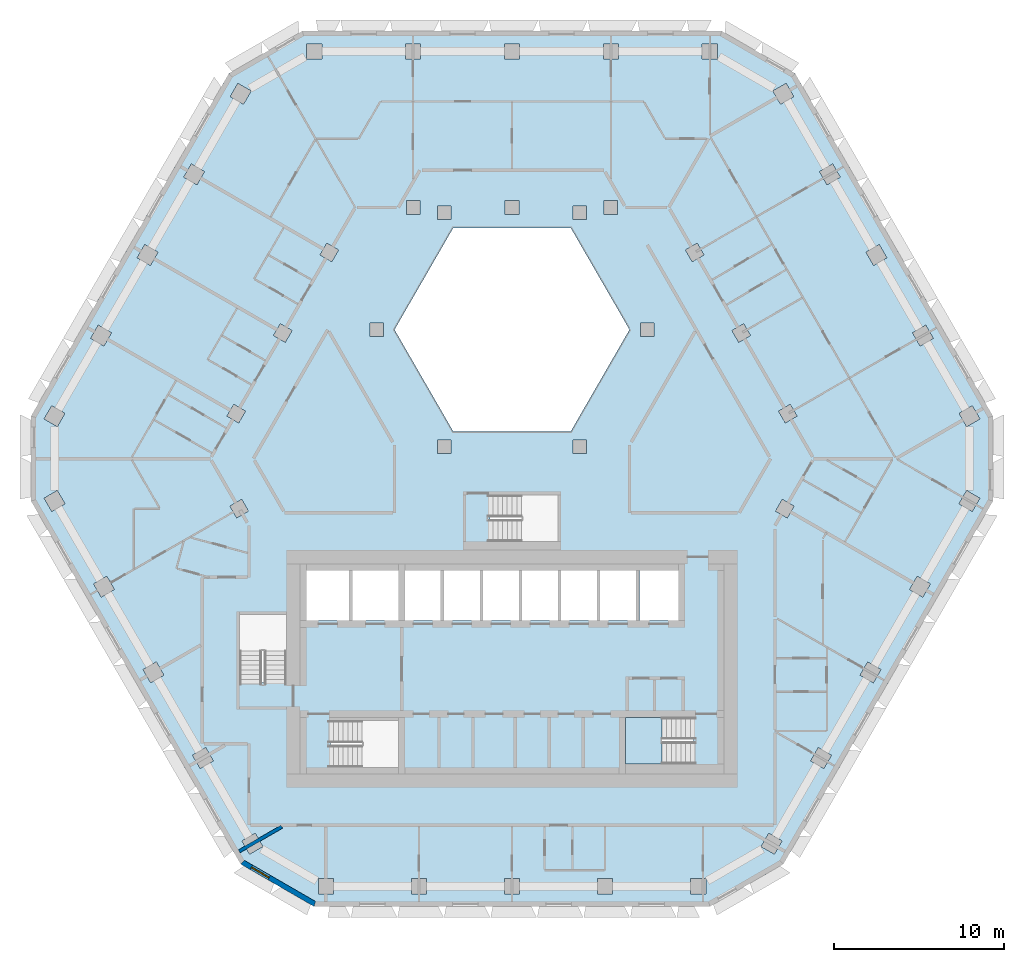
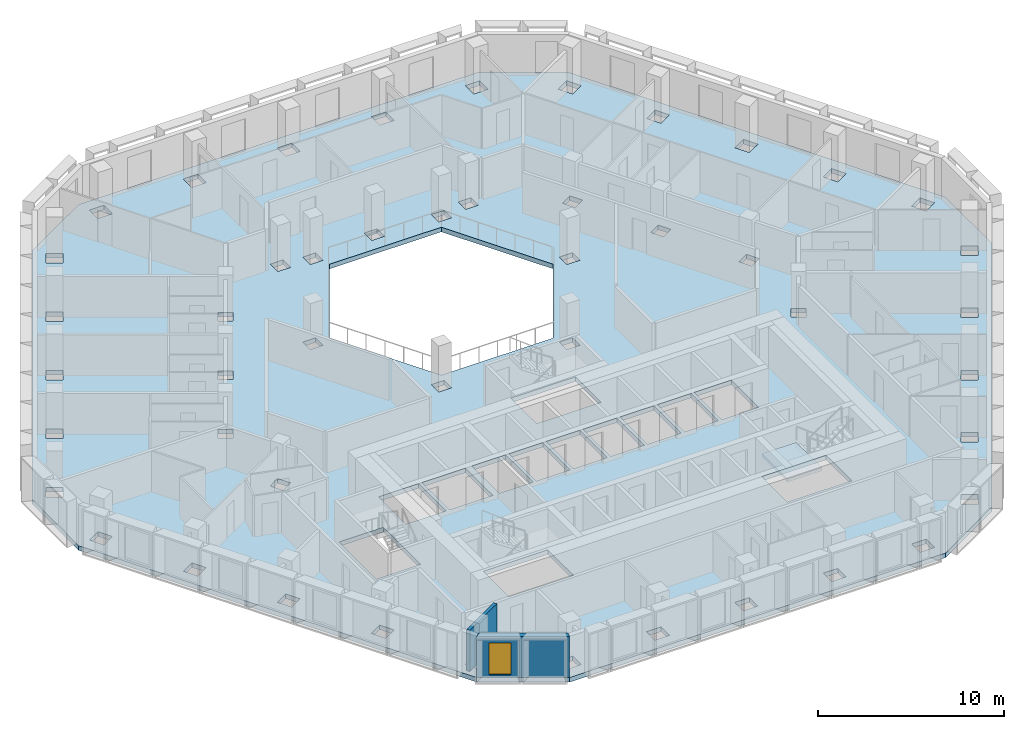
# One storey, part 2 of 15: 2 slabs, 2 walls, 1 window, 1 opening, 1 element without a shape of its own.
"""IFC4 building model written with IfcOpenShell, lengths in metres."""

from ifc_helpers import new_model, si_unit, direction, frame, frame_2d, origin, place, context, subcontext, project, spatial, polyline, rectangle, outline, extrude, material, layer, layer_set, type_object, element, fill, aggregate, save


model = new_model("IFC4")

# Units and contexts
model_context = context("Model", 3, precision=1e-05, world=origin(), true_north=direction((0.0, 1.0)))
body_context = subcontext(model_context, "Body", "Model", "MODEL_VIEW")
ifc_project = project(units=[si_unit("LENGTHUNIT", "METRE"), si_unit("AREAUNIT", "SQUARE_METRE"), si_unit("VOLUMEUNIT", "CUBIC_METRE"), si_unit("PLANEANGLEUNIT", "RADIAN"), si_unit("MASSUNIT", "GRAM", prefix="KILO")], contexts=[model_context])

# Site, building, storey
site_placement = place(None, origin())
site = spatial("IfcSite", under=ifc_project, at=site_placement, CompositionType="ELEMENT")
building_placement = place(site_placement, origin())
building = spatial("IfcBuilding", under=site, at=building_placement, Name="Beryl Residences", CompositionType="ELEMENT")
storey_placement = place(building_placement, frame((0.0, 0.0, 135.60009765625)))
storey = spatial("IfcBuildingStorey", under=building, at=storey_placement, Name="L41", CompositionType="ELEMENT", Elevation=135.60009765625)

# Slab
ifc_material_1 = material(Name="Concrete C40/50", Category="concrete")
ifc_layer_1 = layer(ifc_material_1, 0.300048828125)
ifc_layer_set_1 = layer_set([ifc_layer_1], Name="SL7 PT floor slab 300 mm C40/50")
slab_type_1 = type_object("IfcSlabType", Name="SL7 PT floor slab 300 mm C40/50", PredefinedType="FLOOR", material=ifc_layer_set_1)
slab_1_placement = place(storey_placement, frame((0.0, 0.0, -0.300048828125)))
element("IfcSlab", 1, at=slab_1_placement, inside=storey, type_object=slab_type_1, Name="L41 slab 1", PredefinedType="FLOOR", context=body_context, shape_type="SweptSolid", body=[
    extrude(outline(polyline([(28.347900390625, -2.10009765625), (15.991943359375, -23.5), (11.662109375, -26.0), (-11.662109375, -26.0), (-15.991943359375, -23.5), (-28.347900390625, -2.10009765625), (-28.347900390625, 2.89990234375), (-16.68505859375, 23.10009765625), (-12.35498046875, 25.60009765625), (12.35498046875, 25.60009765625), (16.68505859375, 23.10009765625), (28.347900390625, 2.89990234375), (28.347900390625, -2.10009765625)]), holes=[polyline([(27.1279296875, 3.514892578125), (26.347900390625, 3.06494140625), (26.798095703125, 2.284912109375), (27.577880859375, 2.735107421875), (27.1279296875, 3.514892578125)]), polyline([(26.7958984375, -1.486083984375), (26.345947265625, -2.26611328125), (27.1259765625, -2.716064453125), (27.575927734375, -1.93603515625), (26.7958984375, -1.486083984375)]), polyline([(23.60498046875, 7.81494140625), (24.054931640625, 7.034912109375), (24.8349609375, 7.485107421875), (24.385009765625, 8.264892578125), (23.60498046875, 7.81494140625)]), polyline([(24.660888671875, -6.986083984375), (23.881103515625, -6.535888671875), (23.430908203125, -7.31591796875), (24.2109375, -7.76611328125), (24.660888671875, -6.986083984375)]), polyline([(21.64306640625, 13.014892578125), (20.863037109375, 12.56494140625), (21.31298828125, 11.784912109375), (22.093017578125, 12.235107421875), (21.64306640625, 13.014892578125)]), polyline([(20.965087890625, -11.5859375), (20.514892578125, -12.365966796875), (21.294921875, -12.81591796875), (21.7451171875, -12.035888671875), (20.965087890625, -11.5859375)]), polyline([(18.1201171875, 17.31494140625), (18.570068359375, 16.534912109375), (19.35009765625, 16.985107421875), (18.89990234375, 17.764892578125), (18.1201171875, 17.31494140625)]), polyline([(18.830078125, -17.0859375), (18.050048828125, -16.635986328125), (17.60009765625, -17.416015625), (18.3798828125, -17.865966796875), (18.830078125, -17.0859375)]), polyline([(16.39892578125, 3.595947265625), (15.70703125, 3.196044921875), (16.10693359375, 2.50390625), (16.799072265625, 2.904052734375), (16.39892578125, 3.595947265625)]), polyline([(16.6240234375, -2.405029296875), (15.931884765625, -2.0048828125), (15.531982421875, -2.697021484375), (16.22412109375, -3.096923828125), (16.6240234375, -2.405029296875)]), polyline([(16.157958984375, 22.514892578125), (15.3779296875, 22.06494140625), (15.827880859375, 21.284912109375), (16.60791015625, 21.735107421875), (16.157958984375, 22.514892578125)]), polyline([(15.9140625, -22.135009765625), (15.134033203125, -21.68505859375), (14.68408203125, -22.465087890625), (15.464111328125, -22.9150390625), (15.9140625, -22.135009765625)]), polyline([(13.656005859375, 8.345947265625), (12.964111328125, 7.946044921875), (13.364013671875, 7.25390625), (14.055908203125, 7.654052734375), (13.656005859375, 8.345947265625)]), polyline([(11.2119140625, 24.85009765625), (11.2119140625, 23.949951171875), (12.112060546875, 23.949951171875), (12.112060546875, 24.85009765625), (11.2119140625, 24.85009765625)]), polyline([(11.4208984375, -24.35009765625), (10.52099609375, -24.35009765625), (10.52099609375, -25.25), (11.4208984375, -25.25), (11.4208984375, -24.35009765625)]), polyline([(10.221923828125, 12.696044921875), (10.6220703125, 12.00390625), (11.31396484375, 12.404052734375), (10.9140625, 13.095947265625), (10.221923828125, 12.696044921875)]), polyline([(6.699951171875, -14.85009765625), (6.699951171875, -17.60009765625), (10.699951171875, -17.60009765625), (10.699951171875, -14.85009765625), (6.699951171875, -14.85009765625)]), polyline([(7.5, -9.14990234375), (9.800048828125, -9.14990234375), (9.800048828125, -6.199951171875), (7.5, -6.199951171875), (7.5, -9.14990234375)]), polyline([(8.366943359375, 7.60009765625), (8.366943359375, 8.39990234375), (7.56689453125, 8.39990234375), (7.56689453125, 7.60009765625), (8.366943359375, 7.60009765625)]), polyline([(7.300048828125, -9.14990234375), (7.300048828125, -6.199951171875), (5.199951171875, -6.199951171875), (5.199951171875, -9.14990234375), (7.300048828125, -9.14990234375)]), polyline([(3.464111328125, 14.0), (-3.464111328125, 14.0), (-6.92822265625, 8.0), (-3.464111328125, 2.0), (3.464111328125, 2.0), (6.92822265625, 8.0), (3.464111328125, 14.0)]), polyline([(5.381103515625, 24.85009765625), (5.381103515625, 23.949951171875), (6.281005859375, 23.949951171875), (6.281005859375, 24.85009765625), (5.381103515625, 24.85009765625)]), polyline([(5.430908203125, 15.60009765625), (5.430908203125, 14.800048828125), (6.23095703125, 14.800048828125), (6.23095703125, 15.60009765625), (5.430908203125, 15.60009765625)]), polyline([(5.93603515625, -25.25), (5.93603515625, -24.35009765625), (5.035888671875, -24.35009765625), (5.035888671875, -25.25), (5.93603515625, -25.25)]), polyline([(2.89990234375, -9.14990234375), (5.0, -9.14990234375), (5.0, -6.199951171875), (2.89990234375, -6.199951171875), (2.89990234375, -9.14990234375)]), polyline([(4.384033203125, 14.5), (4.384033203125, 15.300048828125), (3.583984375, 15.300048828125), (3.583984375, 14.5), (4.384033203125, 14.5)]), polyline([(3.583984375, 1.5), (3.583984375, 0.699951171875), (4.384033203125, 0.699951171875), (4.384033203125, 1.5), (3.583984375, 1.5)]), polyline([(2.699951171875, -4.5), (2.699951171875, -1.75), (-1.300048828125, -1.75), (-1.300048828125, -4.5), (2.699951171875, -4.5)]), polyline([(0.60009765625, -9.14990234375), (2.699951171875, -9.14990234375), (2.699951171875, -6.199951171875), (0.60009765625, -6.199951171875), (0.60009765625, -9.14990234375)]), polyline([(0.450927734375, -24.35009765625), (-0.448974609375, -24.35009765625), (-0.448974609375, -25.25), (0.450927734375, -25.25), (0.450927734375, -24.35009765625)]), polyline([(-0.449951171875, 24.85009765625), (-0.449951171875, 23.949951171875), (0.449951171875, 23.949951171875), (0.449951171875, 24.85009765625), (-0.449951171875, 24.85009765625)]), polyline([(0.39990234375, -6.199951171875), (-1.699951171875, -6.199951171875), (-1.699951171875, -9.14990234375), (0.39990234375, -9.14990234375), (0.39990234375, -6.199951171875)]), polyline([(-0.39990234375, 15.60009765625), (-0.39990234375, 14.800048828125), (0.39990234375, 14.800048828125), (0.39990234375, 15.60009765625), (-0.39990234375, 15.60009765625)]), polyline([(-4.0, -9.14990234375), (-1.89990234375, -9.14990234375), (-1.89990234375, -6.199951171875), (-4.0, -6.199951171875), (-4.0, -9.14990234375)]), polyline([(-3.583984375, 14.5), (-3.583984375, 15.300048828125), (-4.384033203125, 15.300048828125), (-4.384033203125, 14.5), (-3.583984375, 14.5)]), polyline([(-3.583984375, 0.699951171875), (-3.583984375, 1.5), (-4.384033203125, 1.5), (-4.384033203125, 0.699951171875), (-3.583984375, 0.699951171875)]), polyline([(-6.300048828125, -9.14990234375), (-4.199951171875, -9.14990234375), (-4.199951171875, -6.199951171875), (-6.300048828125, -6.199951171875), (-6.300048828125, -9.14990234375)]), polyline([(-5.033935546875, -25.25), (-5.033935546875, -24.35009765625), (-5.93408203125, -24.35009765625), (-5.93408203125, -25.25), (-5.033935546875, -25.25)]), polyline([(-6.281005859375, 23.949951171875), (-5.381103515625, 23.949951171875), (-5.381103515625, 24.85009765625), (-6.281005859375, 24.85009765625), (-6.281005859375, 23.949951171875)]), polyline([(-6.23095703125, 14.800048828125), (-5.430908203125, 14.800048828125), (-5.430908203125, 15.60009765625), (-6.23095703125, 15.60009765625), (-6.23095703125, 14.800048828125)]), polyline([(-6.699951171875, -6.199951171875), (-9.39990234375, -6.199951171875), (-9.39990234375, -9.14990234375), (-6.699951171875, -9.14990234375), (-6.699951171875, -6.199951171875)]), polyline([(-10.699951171875, -15.050048828125), (-10.699951171875, -17.800048828125), (-6.699951171875, -17.800048828125), (-6.699951171875, -15.050048828125), (-10.699951171875, -15.050048828125)]), polyline([(-7.56689453125, 7.60009765625), (-7.56689453125, 8.39990234375), (-8.366943359375, 8.39990234375), (-8.366943359375, 7.60009765625), (-7.56689453125, 7.60009765625)]), polyline([(-12.10009765625, -9.14990234375), (-9.60009765625, -9.14990234375), (-9.60009765625, -6.199951171875), (-12.10009765625, -6.199951171875), (-12.10009765625, -9.14990234375)]), polyline([(-11.31396484375, 12.404052734375), (-10.6220703125, 12.00390625), (-10.221923828125, 12.696044921875), (-10.9140625, 13.095947265625), (-11.31396484375, 12.404052734375)]), polyline([(-11.4189453125, -24.35009765625), (-11.4189453125, -25.25), (-10.51904296875, -25.25), (-10.51904296875, -24.35009765625), (-11.4189453125, -24.35009765625)]), polyline([(-12.112060546875, 24.85009765625), (-12.112060546875, 23.949951171875), (-11.2119140625, 23.949951171875), (-11.2119140625, 24.85009765625), (-12.112060546875, 24.85009765625)]), polyline([(-14.055908203125, 7.654052734375), (-13.364013671875, 7.25390625), (-12.964111328125, 7.946044921875), (-13.656005859375, 8.345947265625), (-14.055908203125, 7.654052734375)]), polyline([(-13.300048828125, -8.800048828125), (-16.050048828125, -8.800048828125), (-16.050048828125, -12.800048828125), (-13.300048828125, -12.800048828125), (-13.300048828125, -8.800048828125)]), polyline([(-14.68505859375, -22.464111328125), (-15.135009765625, -21.68408203125), (-15.9150390625, -22.134033203125), (-15.465087890625, -22.9140625), (-14.68505859375, -22.464111328125)]), polyline([(-15.827880859375, 21.284912109375), (-15.3779296875, 22.06494140625), (-16.157958984375, 22.514892578125), (-16.60791015625, 21.735107421875), (-15.827880859375, 21.284912109375)]), polyline([(-15.532958984375, -2.695068359375), (-15.93310546875, -2.0029296875), (-16.625, -2.403076171875), (-16.22509765625, -3.094970703125), (-15.532958984375, -2.695068359375)]), polyline([(-16.10693359375, 2.50390625), (-15.70703125, 3.196044921875), (-16.39892578125, 3.595947265625), (-16.799072265625, 2.904052734375), (-16.10693359375, 2.50390625)]), polyline([(-17.60107421875, -17.4140625), (-18.051025390625, -16.634033203125), (-18.8310546875, -17.083984375), (-18.381103515625, -17.864013671875), (-17.60107421875, -17.4140625)]), polyline([(-19.35009765625, 16.985107421875), (-18.570068359375, 16.534912109375), (-18.1201171875, 17.31494140625), (-18.89990234375, 17.764892578125), (-19.35009765625, 16.985107421875)]), polyline([(-21.2958984375, -12.81396484375), (-20.51611328125, -12.364013671875), (-20.966064453125, -11.583984375), (-21.74609375, -12.033935546875), (-21.2958984375, -12.81396484375)]), polyline([(-20.863037109375, 12.56494140625), (-21.64306640625, 13.014892578125), (-22.093017578125, 12.235107421875), (-21.31298828125, 11.784912109375), (-20.863037109375, 12.56494140625)]), polyline([(-24.2119140625, -7.763916015625), (-23.431884765625, -7.31396484375), (-23.882080078125, -6.533935546875), (-24.662109375, -6.98388671875), (-24.2119140625, -7.763916015625)]), polyline([(-24.8349609375, 7.485107421875), (-24.054931640625, 7.034912109375), (-23.60498046875, 7.81494140625), (-24.385009765625, 8.264892578125), (-24.8349609375, 7.485107421875)]), polyline([(-27.126953125, -2.715087890625), (-26.346923828125, -2.264892578125), (-26.797119140625, -1.485107421875), (-27.576904296875, -1.93505859375), (-27.126953125, -2.715087890625)]), polyline([(-27.577880859375, 2.735107421875), (-26.798095703125, 2.284912109375), (-26.347900390625, 3.06494140625), (-27.1279296875, 3.514892578125), (-27.577880859375, 2.735107421875)])]), origin(), (0.0, 0.0, 1.0), 0.300048828125),
])

# Stair, slab
ifc_material_2 = material(Name="Concrete C40/50", Category="concrete")
stair_type = type_object("IfcStairType", Name="ST1 protected exit stair, half-turn, 1300 mm flights", PredefinedType="HALF_TURN_STAIR", material=ifc_material_2)
stair_placement = place(storey_placement, origin())
stair = element("IfcStair", 2, at=stair_placement, inside=storey, type_object=stair_type, Name="L41 PROTECTED EXIT STAIR ST-3", PredefinedType="HALF_TURN_STAIR")
ifc_material_3 = material(Name="Concrete C40/50", Category="concrete")
ifc_layer_2 = layer(ifc_material_3, 0.199951171875)
ifc_layer_set_2 = layer_set([ifc_layer_2], Name="SLD1 stair landing 200 mm")
slab_type_2 = type_object("IfcSlabType", Name="SLD1 stair landing 200 mm", PredefinedType="LANDING", material=ifc_layer_set_2)
slab_2_placement = place(storey_placement, frame((0.0, 0.0, 1.2998046875)))
slab_2 = element("IfcSlab", 3, at=slab_2_placement, type_object=slab_type_2, Name="ST-3 landing 1", PredefinedType="LANDING", context=body_context, shape_type="SweptSolid", body=[
    extrude(outline(polyline([(8.840087890625, -14.85009765625), (6.699951171875, -14.85009765625), (6.699951171875, -17.60009765625), (8.840087890625, -17.60009765625), (8.840087890625, -14.85009765625)])), origin(), (0.0, 0.0, 1.0), 0.2001953125),
])
aggregate(stair, [slab_2])

# Wall, opening, window
ifc_material_4 = material(Name="Composite metal panel with mineral wool insulation")
ifc_layer_3 = layer(ifc_material_4, 0.300048828125)
ifc_layer_set_3 = layer_set([ifc_layer_3], Name="ES1 pale metal composite panel wall 300 mm")
wall_type_1 = type_object("IfcWallType", Name="ES1 pale metal composite panel wall 300 mm", PredefinedType="SOLIDWALL", material=ifc_layer_set_3)
wall_1_placement = place(storey_placement, frame((-15.9169921875, -23.3701171875, 0.0), z_axis=(0.0, 0.0, 1.0), x_axis=(0.866022959057, -0.500004234368, 0.0)))
wall_1 = element("IfcWall", 4, at=wall_1_placement, inside=storey, type_object=wall_type_1, Name="ES1 external wall L41 SW-S", PredefinedType="SOLIDWALL", context=body_context, shape_type="SweptSolid", body=[
    extrude(outline(polyline([(0.0, -0.14990234375), (5.0, -0.14990234375), (4.919677734375, 0.14990234375), (0.080322265625, 0.14990234375), (0.0, -0.14990234375)])), origin(), (0.0, 0.0, 1.0), 2.699951171875),
])
opening_placement = place(wall_1_placement, frame((0.64990234375, 0.0, 0.14990234375)))
opening = element("IfcOpeningElement", 5, at=opening_placement, cuts=wall_1, Name="Opening W2", PredefinedType="OPENING", context=body_context, shape_type="SweptSolid", body=[
    extrude(rectangle(XDim=1.199951171875, YDim=2.10009765625, at=frame_2d((0.60009765625, 1.050048828125))), frame((0.0, 0.159912109375, 0.0), z_axis=(0.0, -1.0, 0.0), x_axis=(1.0, 0.0, 0.0)), (0.0, 0.0, 1.0), 0.320068359375),
])
ifc_material_5 = material(Name="Aluminium and clear glass", Category="aluminium")
window_type = type_object("IfcWindowType", Name="W2 chamfer window 1200 x 2100 mm", PartitioningType="SINGLE_PANEL", PredefinedType="WINDOW", material=ifc_material_5)
window_placement = place(opening_placement, origin())
window = element("IfcWindow", 6, at=window_placement, inside=storey, type_object=window_type, Name="W2 window L41 SW-S 1", OverallHeight=2.10009765625, OverallWidth=1.199951171875, PartitioningType="SINGLE_PANEL", PredefinedType="WINDOW", context=body_context, shape_type="SweptSolid", body=[
    extrude(rectangle(XDim=1.199951171875, YDim=2.10009765625, at=frame_2d((0.60009765625, 1.050048828125))), frame((0.0, 0.030029296875, 0.0), z_axis=(0.0, -1.0, 0.0), x_axis=(1.0, 0.0, 0.0)), (0.0, 0.0, 1.0), 0.06005859375),
])
fill(opening, window)

# Wall
ifc_material_6 = material(Name="Acoustic double stud gypsum board wall")
ifc_layer_4 = layer(ifc_material_6, 0.199951171875)
ifc_layer_set_4 = layer_set([ifc_layer_4], Name="PT3 party wall 200 mm acoustic double stud")
wall_type_2 = type_object("IfcWallType", Name="PT3 party wall 200 mm acoustic double stud", PredefinedType="PARTITIONING", material=ifc_layer_set_4)
wall_2_placement = place(storey_placement, frame((-16.0791015625, -22.748046875, 0.0), z_axis=(0.0, 0.0, 1.0), x_axis=(0.866114021284, 0.499846478567, 0.0)))
element("IfcWall", 7, at=wall_2_placement, inside=storey, type_object=wall_type_2, Name="Wall PT3 L41 012", PredefinedType="PARTITIONING", context=body_context, shape_type="SweptSolid", body=[
    extrude(rectangle(XDim=2.89697265625, YDim=0.199951171875, at=frame_2d((1.448486328125, 0.0))), origin(), (0.0, 0.0, 1.0), 2.699951171875),
])

save(model, "model.ifc")
